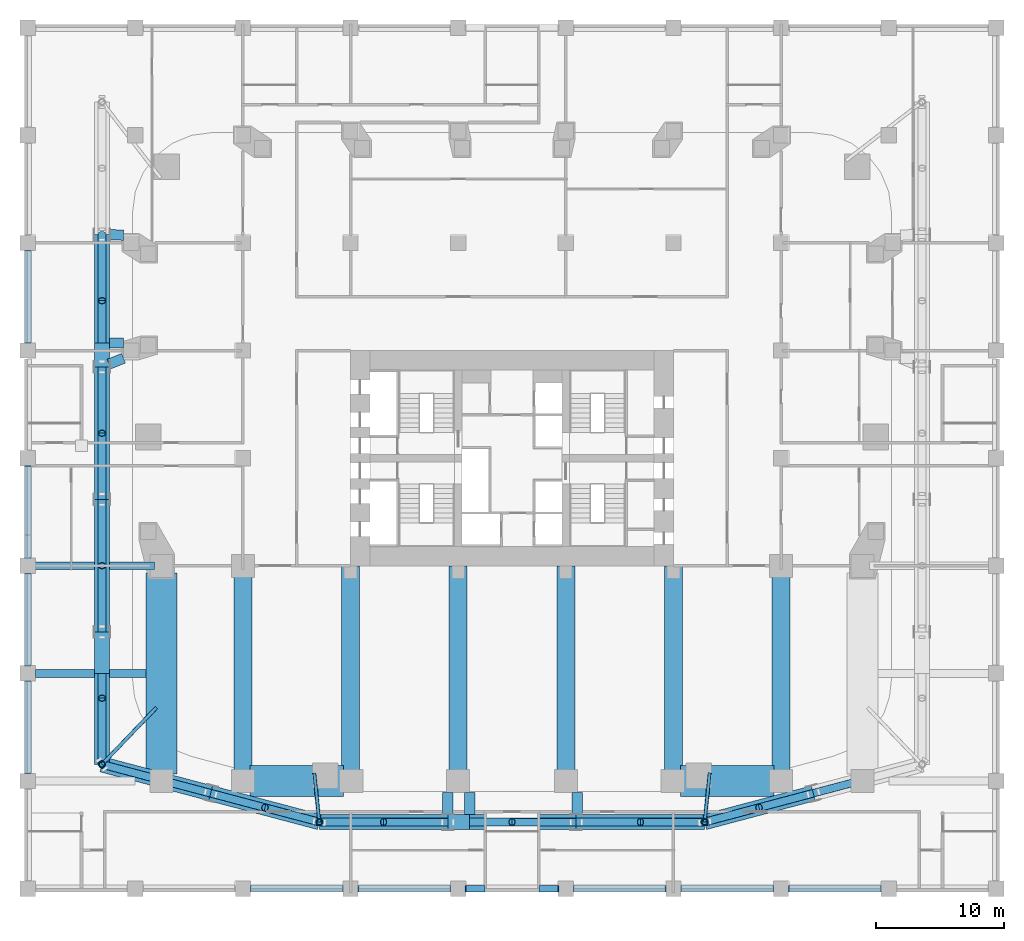
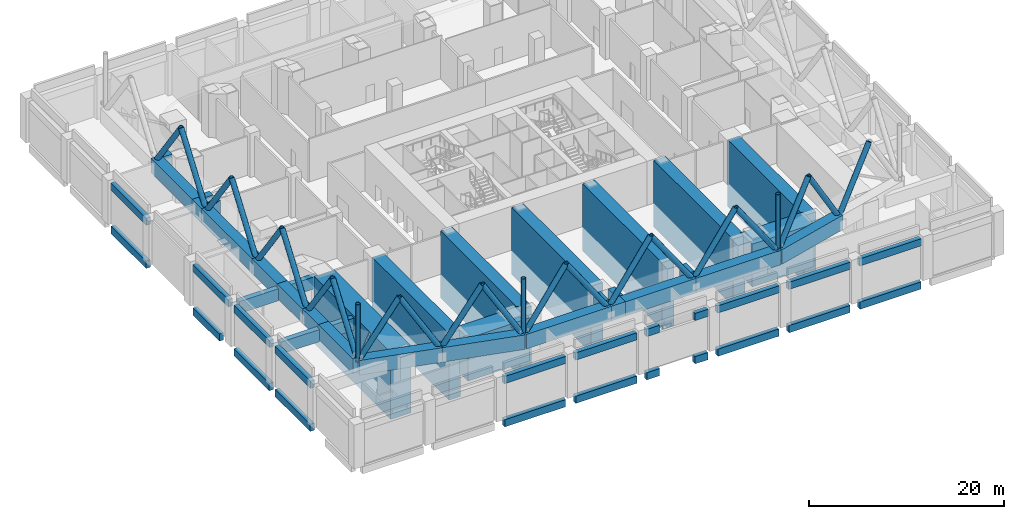
# One storey, part 2 of 17: 55 beams, 27 members.
"""IFC4 building model written with IfcOpenShell, lengths in metres."""

from ifc_helpers import new_model, si_unit, direction, frame, frame_2d, origin, origin_2d, place, context, subcontext, project, spatial, rectangle, hollow_circle, extrude, material, material_profile, profile_set, type_object, element, save


model = new_model("IFC4")

# Units and contexts
model_context = context("Model", 3, precision=1e-05, world=origin(), true_north=direction((0.0, 1.0)))
body_context = subcontext(model_context, "Body", "Model", "MODEL_VIEW")
ifc_project = project(units=[si_unit("LENGTHUNIT", "METRE"), si_unit("AREAUNIT", "SQUARE_METRE"), si_unit("VOLUMEUNIT", "CUBIC_METRE"), si_unit("PLANEANGLEUNIT", "RADIAN"), si_unit("MASSUNIT", "GRAM", prefix="KILO")], contexts=[model_context])

# Site, building, storey
site_placement = place(None, origin())
site = spatial("IfcSite", under=ifc_project, at=site_placement, CompositionType="ELEMENT")
building_placement = place(site_placement, origin())
building = spatial("IfcBuilding", under=site, at=building_placement, Name="Marenta Gate Hotel Tower", CompositionType="ELEMENT")
storey_placement = place(building_placement, frame((0.0, 0.0, 31.0)))
storey = spatial("IfcBuildingStorey", under=building, at=storey_placement, Name="L05", CompositionType="ELEMENT", Elevation=31.0)

# Beams
ifc_material_1 = material(Name="Concrete C80", Category="concrete")
ifc_material_profile_1 = material_profile(ifc_material_1, rectangle(XDim=1.199951171875, YDim=1.800048828125, at=origin_2d()), Name="1200 x 1800")
ifc_profile_set_1 = profile_set([ifc_material_profile_1], Name="Concrete C80")
beam_type_1 = type_object("IfcBeamType", Name="Diagrid base ring girder 1200 x 1800 C80", PredefinedType="BEAM", material=ifc_profile_set_1)
beam_1_placement = place(storey_placement, frame((23.51953125, -17.75, 4.60009765625), z_axis=(-0.96655930577, -0.256443187528, 0.0), x_axis=(0.256443187528, -0.96655930577, 0.0)))
element("IfcBeam", 1, at=beam_1_placement, inside=storey, type_object=beam_type_1, Name="L05-DR-B9", PredefinedType="BEAM", context=body_context, shape_type="SweptSolid", body=[
    extrude(rectangle(XDim=1.199951171875, YDim=1.800048828125, at=origin_2d()), origin(), (0.0, 0.0, 1.0), 8.77392578125),
])
beam_2_placement = place(storey_placement, frame((15.0390625, -20.0, 4.60009765625), z_axis=(-1.0, 0.0, 0.0), x_axis=(0.0, -1.0, 0.0)))
element("IfcBeam", 2, at=beam_2_placement, inside=storey, type_object=beam_type_1, Name="L05-DR-B10", PredefinedType="BEAM", context=body_context, shape_type="SweptSolid", body=[
    extrude(rectangle(XDim=1.199951171875, YDim=1.800048828125, at=origin_2d()), origin(), (0.0, 0.0, 1.0), 10.026123046875),
])
beam_3_placement = place(storey_placement, frame((5.012939453125, -20.0, 4.60009765625), z_axis=(-1.0, 0.0, 0.0), x_axis=(0.0, -1.0, 0.0)))
element("IfcBeam", 3, at=beam_3_placement, inside=storey, type_object=beam_type_1, Name="L05-DR-B11", PredefinedType="BEAM", context=body_context, shape_type="SweptSolid", body=[
    extrude(rectangle(XDim=1.199951171875, YDim=1.800048828125, at=origin_2d()), origin(), (0.0, 0.0, 1.0), 8.31298828125),
])
beam_4_placement = place(storey_placement, frame((-3.300048828125, -20.0, 4.60009765625), z_axis=(-1.0, 0.0, 0.0), x_axis=(0.0, -1.0, 0.0)))
element("IfcBeam", 4, at=beam_4_placement, inside=storey, type_object=beam_type_1, Name="L05-DR-B12", PredefinedType="BEAM", context=body_context, shape_type="SweptSolid", body=[
    extrude(rectangle(XDim=1.199951171875, YDim=1.800048828125, at=origin_2d()), origin(), (0.0, 0.0, 1.0), 1.712890625),
])
beam_5_placement = place(storey_placement, frame((-5.012939453125, -20.0, 4.60009765625), z_axis=(-1.0, 0.0, 0.0), x_axis=(0.0, -1.0, 0.0)))
element("IfcBeam", 5, at=beam_5_placement, inside=storey, type_object=beam_type_1, Name="L05-DR-B13", PredefinedType="BEAM", context=body_context, shape_type="SweptSolid", body=[
    extrude(rectangle(XDim=1.199951171875, YDim=1.800048828125, at=origin_2d()), origin(), (0.0, 0.0, 1.0), 10.026123046875),
])
for number, where, z_axis, x_axis, name in (
    (6, (-15.0390625, -20.0, 4.60009765625), (-0.96655930577, 0.256443187528, 0.0), (-0.256443187528, -0.96655930577, 0.0), "L05-DR-B14"),
    (7, (-23.51953125, -17.75, 4.60009765625), (-0.966566202599, 0.256417191299, 0.0), (-0.256417191299, -0.966566202599, 0.0), "L05-DR-B15"),
):
    element("IfcBeam", number, at=place(storey_placement, frame(where, z_axis=z_axis, x_axis=x_axis)), inside=storey, type_object=beam_type_1, Name=name, PredefinedType="BEAM", context=body_context, shape_type="SweptSolid", body=[
        extrude(rectangle(XDim=1.199951171875, YDim=1.800048828125, at=origin_2d()), origin(), (0.0, 0.0, 1.0), 8.77392578125),
    ])
beam_6_placement = place(storey_placement, frame((-32.0, -15.500244140625, 4.60009765625), z_axis=(0.0, 1.0, 0.0), x_axis=(-1.0, 0.0, 0.0)))
element("IfcBeam", 8, at=beam_6_placement, inside=storey, type_object=beam_type_1, Name="L05-DR-B16", PredefinedType="BEAM", context=body_context, shape_type="SweptSolid", body=[
    extrude(rectangle(XDim=1.199951171875, YDim=1.800048828125, at=origin_2d()), origin(), (0.0, 0.0, 1.0), 7.100341796875),
])
beam_7_placement = place(storey_placement, frame((-32.0, -8.39990234375, 4.60009765625), z_axis=(0.0, 1.0, 0.0), x_axis=(-1.0, 0.0, 0.0)))
element("IfcBeam", 9, at=beam_7_placement, inside=storey, type_object=beam_type_1, Name="L05-DR-B17", PredefinedType="BEAM", context=body_context, shape_type="SweptSolid", body=[
    extrude(rectangle(XDim=1.199951171875, YDim=1.800048828125, at=origin_2d()), origin(), (0.0, 0.0, 1.0), 3.23974609375),
])
beam_8_placement = place(storey_placement, frame((-32.0, -5.16015625, 4.60009765625), z_axis=(0.0, 1.0, 0.0), x_axis=(-1.0, 0.0, 0.0)))
element("IfcBeam", 10, at=beam_8_placement, inside=storey, type_object=beam_type_1, Name="L05-DR-B18", PredefinedType="BEAM", context=body_context, shape_type="SweptSolid", body=[
    extrude(rectangle(XDim=1.199951171875, YDim=1.800048828125, at=origin_2d()), origin(), (0.0, 0.0, 1.0), 5.16015625),
])
beam_9_placement = place(storey_placement, frame((-32.0, 0.0, 4.60009765625), z_axis=(0.0, 1.0, 0.0), x_axis=(-1.0, 0.0, 0.0)))
element("IfcBeam", 11, at=beam_9_placement, inside=storey, type_object=beam_type_1, Name="L05-DR-B19", PredefinedType="BEAM", context=body_context, shape_type="SweptSolid", body=[
    extrude(rectangle(XDim=1.199951171875, YDim=1.800048828125, at=origin_2d()), origin(), (0.0, 0.0, 1.0), 5.179931640625),
])
beam_10_placement = place(storey_placement, frame((-32.0, 5.179931640625, 4.60009765625), z_axis=(0.0, 1.0, 0.0), x_axis=(-1.0, 0.0, 0.0)))
element("IfcBeam", 12, at=beam_10_placement, inside=storey, type_object=beam_type_1, Name="L05-DR-B20", PredefinedType="BEAM", context=body_context, shape_type="SweptSolid", body=[
    extrude(rectangle(XDim=1.199951171875, YDim=1.800048828125, at=origin_2d()), origin(), (0.0, 0.0, 1.0), 10.340087890625),
])
beam_11_placement = place(storey_placement, frame((-32.0, 15.52001953125, 4.60009765625), z_axis=(0.0, 1.0, 0.0), x_axis=(-1.0, 0.0, 0.0)))
element("IfcBeam", 13, at=beam_11_placement, inside=storey, type_object=beam_type_1, Name="L05-DR-B21", PredefinedType="BEAM", context=body_context, shape_type="SweptSolid", body=[
    extrude(rectangle(XDim=1.199951171875, YDim=1.800048828125, at=origin_2d()), origin(), (0.0, 0.0, 1.0), 1.8798828125),
])
beam_12_placement = place(storey_placement, frame((-32.0, 17.39990234375, 4.60009765625), z_axis=(0.0, 1.0, 0.0), x_axis=(-1.0, 0.0, 0.0)))
element("IfcBeam", 14, at=beam_12_placement, inside=storey, type_object=beam_type_1, Name="L05-DR-B22", PredefinedType="BEAM", context=body_context, shape_type="SweptSolid", body=[
    extrude(rectangle(XDim=1.199951171875, YDim=1.800048828125, at=origin_2d()), origin(), (0.0, 0.0, 1.0), 8.460205078125),
])
ifc_material_2 = material(Name="Concrete C80", Category="concrete")
ifc_material_profile_2 = material_profile(ifc_material_2, rectangle(XDim=0.800048828125, YDim=1.800048828125, at=origin_2d()), Name="800 x 1800")
ifc_profile_set_2 = profile_set([ifc_material_profile_2], Name="Concrete C80")
beam_type_2 = type_object("IfcBeamType", Name="Diagrid base stub 800 x 1800 C80", PredefinedType="BEAM", material=ifc_profile_set_2)
for number, where, z_axis, x_axis, name in (
    (15, (5.10009765625, -17.699951171875, 4.60009765625), (0.0, -1.0, 0.0), (1.0, 0.0, 0.0), "L05-DR-S4"),
    (16, (-3.300048828125, -17.699951171875, 4.60009765625), (0.0, -1.0, 0.0), (1.0, 0.0, 0.0), "L05-DR-S5"),
    (17, (-5.012939453125, -17.699951171875, 4.60009765625), (0.0, -1.0, 0.0), (1.0, 0.0, 0.0), "L05-DR-S6"),
):
    element("IfcBeam", number, at=place(storey_placement, frame(where, z_axis=z_axis, x_axis=x_axis)), inside=storey, type_object=beam_type_2, Name=name, PredefinedType="BEAM", context=body_context, shape_type="SweptSolid", body=[
        extrude(rectangle(XDim=0.800048828125, YDim=1.800048828125, at=origin_2d()), origin(), (0.0, 0.0, 1.0), 1.699951171875),
    ])
beam_13_placement = place(storey_placement, frame((-30.320068359375, 16.199951171875, 4.60009765625), z_axis=(-0.928435025967, -0.371494821711, 0.0), x_axis=(0.371494821711, -0.928435025967, 0.0)))
element("IfcBeam", 18, at=beam_13_placement, inside=storey, type_object=beam_type_2, Name="L05-DR-S7", PredefinedType="BEAM", context=body_context, shape_type="SweptSolid", body=[
    extrude(rectangle(XDim=0.800048828125, YDim=1.800048828125, at=origin_2d()), origin(), (0.0, 0.0, 1.0), 1.21240234375),
])
beam_14_placement = place(storey_placement, frame((-30.320068359375, 17.39990234375, 4.60009765625), z_axis=(-1.0, 0.0, 0.0), x_axis=(0.0, -1.0, 0.0)))
element("IfcBeam", 19, at=beam_14_placement, inside=storey, type_object=beam_type_2, Name="L05-DR-S8", PredefinedType="BEAM", context=body_context, shape_type="SweptSolid", body=[
    extrude(rectangle(XDim=0.800048828125, YDim=1.800048828125, at=origin_2d()), origin(), (0.0, 0.0, 1.0), 1.079833984375),
])
beam_15_placement = place(storey_placement, frame((-30.320068359375, 25.800048828125, 4.60009765625), z_axis=(-0.998799725816, 0.048980687119, 0.0), x_axis=(-0.048980687119, -0.998799725816, 0.0)))
element("IfcBeam", 20, at=beam_15_placement, inside=storey, type_object=beam_type_2, Name="L05-DR-S9", PredefinedType="BEAM", context=body_context, shape_type="SweptSolid", body=[
    extrude(rectangle(XDim=0.800048828125, YDim=1.800048828125, at=origin_2d()), origin(), (0.0, 0.0, 1.0), 1.08154296875),
])

# Members
ifc_material_3 = material(Name="Steel S355J2W", Category="steel")
ifc_material_profile_3 = material_profile(ifc_material_3, hollow_circle(Radius=0.25390625, WallThickness=0.0400390625, at=origin_2d()), Name="CHS 508x40")
ifc_profile_set_3 = profile_set([ifc_material_profile_3], Name="Steel S355J2W")
member_type_1 = type_object("IfcMemberType", Name="Diagrid corner post Z1 CHS 508x40", PredefinedType="POST", material=ifc_profile_set_3)
for number, where, z_axis, x_axis, name in (
    (21, (15.0390625, -20.0, 5.0400390625), (0.0, 0.0, 1.0), (1.0, 0.0, 0.0), "L05-DR-3"),
    (22, (-15.0390625, -20.0, 5.0400390625), (0.0, 0.0, 1.0), (1.0, 0.0, 0.0), "L05-DR-4"),
    (23, (-32.0, -15.500244140625, 5.0400390625), (0.0, 0.0, 1.0), (1.0, 0.0, 0.0), "L05-DR-5"),
):
    element("IfcMember", number, at=place(storey_placement, frame(where, z_axis=z_axis, x_axis=x_axis)), inside=storey, type_object=member_type_1, Name=name, PredefinedType="POST", context=body_context, shape_type="SweptSolid", body=[
        extrude(hollow_circle(Radius=0.25390625, WallThickness=0.0400390625, at=origin_2d()), origin(), (0.0, 0.0, 1.0), 7.199951171875),
    ])
ifc_material_4 = material(Name="Steel S355J2W", Category="steel")
ifc_material_profile_4 = material_profile(ifc_material_4, hollow_circle(Radius=0.304931640625, WallThickness=0.0400390625, at=origin_2d()), Name="CHS 610x40")
ifc_profile_set_4 = profile_set([ifc_material_profile_4], Name="Steel S355J2W")
member_type_2 = type_object("IfcMemberType", Name="Diagrid diagonal Z1 CHS 610x40", PredefinedType="BRACE", material=ifc_profile_set_4)
for number, where, z_axis, x_axis, name in (
    (24, (23.51953125, -17.75, 5.0400390625), (0.502924018666, 0.133433548941, 0.853968921838), (-0.256443187528, 0.96655930577, 0.0), "L05-DG-12"),
    (25, (23.51953125, -17.75, 5.0400390625), (-0.502924018666, -0.133433548941, 0.853968921838), (0.256443187528, -0.96655930577, 0.0), "L05-DG-13"),
    (26, (15.0390625, -20.0, 5.0400390625), (0.502924018666, 0.133433548941, 0.853968921838), (-0.256443187528, 0.96655930577, 0.0), "L05-DG-14"),
):
    element("IfcMember", number, at=place(storey_placement, frame(where, z_axis=z_axis, x_axis=x_axis)), inside=storey, type_object=member_type_2, Name=name, PredefinedType="BRACE", context=body_context, shape_type="SweptSolid", body=[
        extrude(hollow_circle(Radius=0.304931640625, WallThickness=0.0400390625, at=origin_2d()), origin(), (0.0, 0.0, 1.0), 8.43115234375),
    ])
member_1_placement = place(storey_placement, frame((15.0390625, -20.0, 5.0400390625), z_axis=(-0.571411767966, 0.0, 0.820663506822), x_axis=(0.0, -1.0, 0.0)))
element("IfcMember", 27, at=member_1_placement, inside=storey, type_object=member_type_2, Name="L05-DG-15", PredefinedType="BRACE", context=body_context, shape_type="SweptSolid", body=[
    extrude(hollow_circle(Radius=0.304931640625, WallThickness=0.0400390625, at=origin_2d()), origin(), (0.0, 0.0, 1.0), 8.7734375),
])
for number, where, z_axis, x_axis, name in (
    (28, (5.012939453125, -20.0, 5.0400390625), (0.571393025954, 0.0, 0.820676556197), (0.0, 1.0, 0.0), "L05-DG-16"),
    (29, (5.012939453125, -20.0, 5.0400390625), (-0.571393025954, 0.0, 0.820676556197), (0.0, -1.0, 0.0), "L05-DG-17"),
    (30, (-5.012939453125, -20.0, 5.0400390625), (0.571393025954, 0.0, 0.820676556197), (0.0, 1.0, 0.0), "L05-DG-18"),
    (31, (-5.012939453125, -20.0, 5.0400390625), (-0.571393025954, 0.0, 0.820676556197), (0.0, -1.0, 0.0), "L05-DG-19"),
):
    element("IfcMember", number, at=place(storey_placement, frame(where, z_axis=z_axis, x_axis=x_axis)), inside=storey, type_object=member_type_2, Name=name, PredefinedType="BRACE", context=body_context, shape_type="SweptSolid", body=[
        extrude(hollow_circle(Radius=0.304931640625, WallThickness=0.0400390625, at=origin_2d()), origin(), (0.0, 0.0, 1.0), 8.773193359375),
    ])
member_2_placement = place(storey_placement, frame((-15.0390625, -20.0, 5.0400390625), z_axis=(0.571411767966, 0.0, 0.820663506822), x_axis=(0.0, 1.0, 0.0)))
element("IfcMember", 32, at=member_2_placement, inside=storey, type_object=member_type_2, Name="L05-DG-20", PredefinedType="BRACE", context=body_context, shape_type="SweptSolid", body=[
    extrude(hollow_circle(Radius=0.304931640625, WallThickness=0.0400390625, at=origin_2d()), origin(), (0.0, 0.0, 1.0), 8.7734375),
])
for number, where, z_axis, x_axis, name in (
    (33, (-15.0390625, -20.0, 5.0400390625), (-0.502924018666, 0.133433548941, 0.853968921838), (-0.256443187528, -0.96655930577, 0.0), "L05-DG-21"),
    (34, (-23.51953125, -17.75, 5.0400390625), (0.502924018666, -0.133433548941, 0.853968921838), (0.256443187528, 0.96655930577, 0.0), "L05-DG-22"),
    (35, (-23.51953125, -17.75, 5.0400390625), (-0.502924018666, 0.133433548941, 0.853968921838), (-0.256443187528, -0.96655930577, 0.0), "L05-DG-23"),
    (36, (-32.0, -15.500244140625, 5.0400390625), (0.502925961678, -0.133405107407, 0.853972221087), (0.256391194513, 0.966573098827, 0.0), "L05-DG-24"),
):
    element("IfcMember", number, at=place(storey_placement, frame(where, z_axis=z_axis, x_axis=x_axis)), inside=storey, type_object=member_type_2, Name=name, PredefinedType="BRACE", context=body_context, shape_type="SweptSolid", body=[
        extrude(hollow_circle(Radius=0.304931640625, WallThickness=0.0400390625, at=origin_2d()), origin(), (0.0, 0.0, 1.0), 8.43115234375),
    ])
member_3_placement = place(storey_placement, frame((-32.0, -15.500244140625, 5.0400390625), z_axis=(0.0, 0.583279014058, 0.812271870595), x_axis=(-1.0, 0.0, 0.0)))
element("IfcMember", 37, at=member_3_placement, inside=storey, type_object=member_type_2, Name="L05-DG-25", PredefinedType="BRACE", context=body_context, shape_type="SweptSolid", body=[
    extrude(hollow_circle(Radius=0.304931640625, WallThickness=0.0400390625, at=origin_2d()), origin(), (0.0, 0.0, 1.0), 8.864013671875),
])
member_4_placement = place(storey_placement, frame((-32.0, -5.16015625, 5.0400390625), z_axis=(0.0, -0.583260841117, 0.812284919975), x_axis=(1.0, 0.0, 0.0)))
element("IfcMember", 38, at=member_4_placement, inside=storey, type_object=member_type_2, Name="L05-DG-26", PredefinedType="BRACE", context=body_context, shape_type="SweptSolid", body=[
    extrude(hollow_circle(Radius=0.304931640625, WallThickness=0.0400390625, at=origin_2d()), origin(), (0.0, 0.0, 1.0), 8.86376953125),
])
member_5_placement = place(storey_placement, frame((-32.0, -5.16015625, 5.0400390625), z_axis=(0.0, 0.583279014058, 0.812271870595), x_axis=(-1.0, 0.0, 0.0)))
element("IfcMember", 39, at=member_5_placement, inside=storey, type_object=member_type_2, Name="L05-DG-27", PredefinedType="BRACE", context=body_context, shape_type="SweptSolid", body=[
    extrude(hollow_circle(Radius=0.304931640625, WallThickness=0.0400390625, at=origin_2d()), origin(), (0.0, 0.0, 1.0), 8.864013671875),
])
for number, where, z_axis, x_axis, name in (
    (40, (-32.0, 5.179931640625, 5.0400390625), (0.0, -0.583260841117, 0.812284919975), (1.0, 0.0, 0.0), "L05-DG-28"),
    (41, (-32.0, 5.179931640625, 5.0400390625), (0.0, 0.583260841117, 0.812284919975), (-1.0, 0.0, 0.0), "L05-DG-29"),
):
    element("IfcMember", number, at=place(storey_placement, frame(where, z_axis=z_axis, x_axis=x_axis)), inside=storey, type_object=member_type_2, Name=name, PredefinedType="BRACE", context=body_context, shape_type="SweptSolid", body=[
        extrude(hollow_circle(Radius=0.304931640625, WallThickness=0.0400390625, at=origin_2d()), origin(), (0.0, 0.0, 1.0), 8.86376953125),
    ])
member_6_placement = place(storey_placement, frame((-32.0, 15.52001953125, 5.0400390625), z_axis=(0.0, -0.583279014058, 0.812271870595), x_axis=(1.0, 0.0, 0.0)))
element("IfcMember", 42, at=member_6_placement, inside=storey, type_object=member_type_2, Name="L05-DG-30", PredefinedType="BRACE", context=body_context, shape_type="SweptSolid", body=[
    extrude(hollow_circle(Radius=0.304931640625, WallThickness=0.0400390625, at=origin_2d()), origin(), (0.0, 0.0, 1.0), 8.864013671875),
])
member_7_placement = place(storey_placement, frame((-32.0, 15.52001953125, 5.0400390625), z_axis=(0.0, 0.583260841117, 0.812284919975), x_axis=(-1.0, 0.0, 0.0)))
element("IfcMember", 43, at=member_7_placement, inside=storey, type_object=member_type_2, Name="L05-DG-31", PredefinedType="BRACE", context=body_context, shape_type="SweptSolid", body=[
    extrude(hollow_circle(Radius=0.304931640625, WallThickness=0.0400390625, at=origin_2d()), origin(), (0.0, 0.0, 1.0), 8.86376953125),
])
member_8_placement = place(storey_placement, frame((-32.0, 25.860107421875, 5.0400390625), z_axis=(0.0, -0.583279014058, 0.812271870595), x_axis=(1.0, 0.0, 0.0)))
element("IfcMember", 44, at=member_8_placement, inside=storey, type_object=member_type_2, Name="L05-DG-32", PredefinedType="BRACE", context=body_context, shape_type="SweptSolid", body=[
    extrude(hollow_circle(Radius=0.304931640625, WallThickness=0.0400390625, at=origin_2d()), origin(), (0.0, 0.0, 1.0), 8.864013671875),
])
ifc_material_5 = material(Name="Steel S355J2W", Category="steel")
ifc_material_profile_5 = material_profile(ifc_material_5, hollow_circle(Radius=0.136474609375, WallThickness=0.012451171875, at=origin_2d()), Name="CHS 273x12.5")
ifc_profile_set_5 = profile_set([ifc_material_profile_5], Name="Steel S355J2W")
member_type_3 = type_object("IfcMemberType", Name="Floor tie CHS 273x12.5", PredefinedType="STRUT", material=ifc_profile_set_5)
member_9_placement = place(storey_placement, frame((15.0390625, -20.0, 5.0400390625), z_axis=(0.100354093407, 0.994951785735, 0.0), x_axis=(-0.994951785735, 0.100354093407, 0.0)))
element("IfcMember", 45, at=member_9_placement, inside=storey, type_object=member_type_3, Name="L05-DR-9", PredefinedType="STRUT", context=body_context, shape_type="SweptSolid", body=[
    extrude(hollow_circle(Radius=0.136474609375, WallThickness=0.012451171875, at=origin_2d()), origin(), (0.0, 0.0, 1.0), 3.86572265625),
])
member_10_placement = place(storey_placement, frame((-15.0390625, -20.0, 5.0400390625), z_axis=(-0.100880214529, 0.99489857891, 0.0), x_axis=(-0.99489857891, -0.100880214529, 0.0)))
element("IfcMember", 46, at=member_10_placement, inside=storey, type_object=member_type_3, Name="L05-DR-10", PredefinedType="STRUT", context=body_context, shape_type="SweptSolid", body=[
    extrude(hollow_circle(Radius=0.136474609375, WallThickness=0.012451171875, at=origin_2d()), origin(), (0.0, 0.0, 1.0), 3.845458984375),
])
member_11_placement = place(storey_placement, frame((-32.0, -15.500244140625, 5.0400390625), z_axis=(0.691351135911, 0.722518931845, 0.0), x_axis=(-0.722518931845, 0.691351135911, 0.0)))
element("IfcMember", 47, at=member_11_placement, inside=storey, type_object=member_type_3, Name="L05-DR-11", PredefinedType="STRUT", context=body_context, shape_type="SweptSolid", body=[
    extrude(hollow_circle(Radius=0.136474609375, WallThickness=0.012451171875, at=origin_2d()), origin(), (0.0, 0.0, 1.0), 6.12548828125),
])

# Beams
ifc_material_6 = material(Name="Concrete C60", Category="concrete")
ifc_material_profile_6 = material_profile(ifc_material_6, rectangle(XDim=0.5, YDim=0.89990234375, at=origin_2d()), Name="500 x 900")
ifc_profile_set_6 = profile_set([ifc_material_profile_6], Name="Concrete C60")
beam_type_3 = type_object("IfcBeamType", Name="Podium edge beam 500 x 900 C60", PredefinedType="BEAM", material=ifc_profile_set_6)
for number, where, z_axis, x_axis, name in (
    (48, (-20.39990234375, -25.199951171875, -0.77001953125), (1.0, 0.0, 0.0), (0.0, 1.0, 0.0), "L05-PBM-177"),
    (49, (-12.0, -25.199951171875, -0.77001953125), (1.0, 0.0, 0.0), (0.0, 1.0, 0.0), "L05-PBM-178"),
):
    element("IfcBeam", number, at=place(storey_placement, frame(where, z_axis=z_axis, x_axis=x_axis)), inside=storey, type_object=beam_type_3, Name=name, PredefinedType="BEAM", context=body_context, shape_type="SweptSolid", body=[
        extrude(rectangle(XDim=0.5, YDim=0.89990234375, at=origin_2d()), origin(), (0.0, 0.0, 1.0), 7.199951171875),
    ])
for number, where, z_axis, x_axis, name in (
    (50, (-3.60009765625, -25.199951171875, -0.77001953125), (1.0, 0.0, 0.0), (0.0, 1.0, 0.0), "L05-PBM-179"),
    (51, (2.10009765625, -25.199951171875, -0.77001953125), (1.0, 0.0, 0.0), (0.0, 1.0, 0.0), "L05-PBM-180"),
):
    element("IfcBeam", number, at=place(storey_placement, frame(where, z_axis=z_axis, x_axis=x_axis)), inside=storey, type_object=beam_type_3, Name=name, PredefinedType="BEAM", context=body_context, shape_type="SweptSolid", body=[
        extrude(rectangle(XDim=0.5, YDim=0.89990234375, at=origin_2d()), origin(), (0.0, 0.0, 1.0), 1.5),
    ])
for number, where, z_axis, x_axis, name in (
    (52, (4.800048828125, -25.199951171875, -0.77001953125), (1.0, 0.0, 0.0), (0.0, 1.0, 0.0), "L05-PBM-181"),
    (53, (13.199951171875, -25.199951171875, -0.77001953125), (1.0, 0.0, 0.0), (0.0, 1.0, 0.0), "L05-PBM-182"),
    (54, (21.60009765625, -25.199951171875, -0.77001953125), (1.0, 0.0, 0.0), (0.0, 1.0, 0.0), "L05-PBM-183"),
):
    element("IfcBeam", number, at=place(storey_placement, frame(where, z_axis=z_axis, x_axis=x_axis)), inside=storey, type_object=beam_type_3, Name=name, PredefinedType="BEAM", context=body_context, shape_type="SweptSolid", body=[
        extrude(rectangle(XDim=0.5, YDim=0.89990234375, at=origin_2d()), origin(), (0.0, 0.0, 1.0), 7.199951171875),
    ])
beam_16_placement = place(storey_placement, frame((-37.800048828125, 24.60009765625, -0.77001953125), z_axis=(0.0, -1.0, 0.0), x_axis=(1.0, 0.0, 0.0)))
element("IfcBeam", 55, at=beam_16_placement, inside=storey, type_object=beam_type_3, Name="L05-PBM-204", PredefinedType="BEAM", context=body_context, shape_type="SweptSolid", body=[
    extrude(rectangle(XDim=0.5, YDim=0.89990234375, at=origin_2d()), origin(), (0.0, 0.0, 1.0), 7.2001953125),
])
beam_17_placement = place(storey_placement, frame((-37.800048828125, 7.800048828125, -0.77001953125), z_axis=(0.0, -1.0, 0.0), x_axis=(1.0, 0.0, 0.0)))
element("IfcBeam", 56, at=beam_17_placement, inside=storey, type_object=beam_type_3, Name="L05-PBM-205", PredefinedType="BEAM", context=body_context, shape_type="SweptSolid", body=[
    extrude(rectangle(XDim=0.5, YDim=0.89990234375, at=origin_2d()), origin(), (0.0, 0.0, 1.0), 5.400146484375),
])
for number, where, z_axis, x_axis, name in (
    (57, (-37.800048828125, -0.60009765625, -0.77001953125), (0.0, -1.0, 0.0), (1.0, 0.0, 0.0), "L05-PBM-206"),
    (58, (-37.800048828125, -9.0, -0.77001953125), (0.0, -1.0, 0.0), (1.0, 0.0, 0.0), "L05-PBM-207"),
):
    element("IfcBeam", number, at=place(storey_placement, frame(where, z_axis=z_axis, x_axis=x_axis)), inside=storey, type_object=beam_type_3, Name=name, PredefinedType="BEAM", context=body_context, shape_type="SweptSolid", body=[
        extrude(rectangle(XDim=0.5, YDim=0.89990234375, at=origin_2d()), origin(), (0.0, 0.0, 1.0), 7.199951171875),
    ])
for number, where, z_axis, x_axis, name in (
    (59, (-20.449951171875, -25.199951171875, 4.6298828125), (1.0, 0.0, 0.0), (0.0, 1.0, 0.0), "L05-PBM-211"),
    (60, (-12.050048828125, -25.199951171875, 4.6298828125), (1.0, 0.0, 0.0), (0.0, 1.0, 0.0), "L05-PBM-212"),
):
    element("IfcBeam", number, at=place(storey_placement, frame(where, z_axis=z_axis, x_axis=x_axis)), inside=storey, type_object=beam_type_3, Name=name, PredefinedType="BEAM", context=body_context, shape_type="SweptSolid", body=[
        extrude(rectangle(XDim=0.5, YDim=0.89990234375, at=origin_2d()), origin(), (0.0, 0.0, 1.0), 7.300048828125),
    ])
for number, where, z_axis, x_axis, name in (
    (61, (-3.64990234375, -25.199951171875, 4.6298828125), (1.0, 0.0, 0.0), (0.0, 1.0, 0.0), "L05-PBM-213"),
    (62, (2.10009765625, -25.199951171875, 4.6298828125), (1.0, 0.0, 0.0), (0.0, 1.0, 0.0), "L05-PBM-214"),
):
    element("IfcBeam", number, at=place(storey_placement, frame(where, z_axis=z_axis, x_axis=x_axis)), inside=storey, type_object=beam_type_3, Name=name, PredefinedType="BEAM", context=body_context, shape_type="SweptSolid", body=[
        extrude(rectangle(XDim=0.5, YDim=0.89990234375, at=origin_2d()), origin(), (0.0, 0.0, 1.0), 1.5498046875),
    ])
for number, where, z_axis, x_axis, name in (
    (63, (4.75, -25.199951171875, 4.6298828125), (1.0, 0.0, 0.0), (0.0, 1.0, 0.0), "L05-PBM-215"),
    (64, (13.14990234375, -25.199951171875, 4.6298828125), (1.0, 0.0, 0.0), (0.0, 1.0, 0.0), "L05-PBM-216"),
    (65, (21.550048828125, -25.199951171875, 4.6298828125), (1.0, 0.0, 0.0), (0.0, 1.0, 0.0), "L05-PBM-217"),
):
    element("IfcBeam", number, at=place(storey_placement, frame(where, z_axis=z_axis, x_axis=x_axis)), inside=storey, type_object=beam_type_3, Name=name, PredefinedType="BEAM", context=body_context, shape_type="SweptSolid", body=[
        extrude(rectangle(XDim=0.5, YDim=0.89990234375, at=origin_2d()), origin(), (0.0, 0.0, 1.0), 7.300048828125),
    ])
beam_18_placement = place(storey_placement, frame((-37.800048828125, 24.64990234375, 4.6298828125), z_axis=(0.0, -1.0, 0.0), x_axis=(1.0, 0.0, 0.0)))
element("IfcBeam", 66, at=beam_18_placement, inside=storey, type_object=beam_type_3, Name="L05-PBM-238", PredefinedType="BEAM", context=body_context, shape_type="SweptSolid", body=[
    extrude(rectangle(XDim=0.5, YDim=0.89990234375, at=origin_2d()), origin(), (0.0, 0.0, 1.0), 7.2998046875),
])
for number, where, z_axis, x_axis, name in (
    (67, (-37.800048828125, 7.85009765625, 4.6298828125), (0.0, -1.0, 0.0), (1.0, 0.0, 0.0), "L05-PBM-239"),
    (68, (-37.800048828125, -0.550048828125, 4.6298828125), (0.0, -1.0, 0.0), (1.0, 0.0, 0.0), "L05-PBM-240"),
    (69, (-37.800048828125, -8.949951171875, 4.6298828125), (0.0, -1.0, 0.0), (1.0, 0.0, 0.0), "L05-PBM-241"),
):
    element("IfcBeam", number, at=place(storey_placement, frame(where, z_axis=z_axis, x_axis=x_axis)), inside=storey, type_object=beam_type_3, Name=name, PredefinedType="BEAM", context=body_context, shape_type="SweptSolid", body=[
        extrude(rectangle(XDim=0.5, YDim=0.89990234375, at=origin_2d()), origin(), (0.0, 0.0, 1.0), 7.300048828125),
    ])
ifc_material_7 = material(Name="Concrete C60", Category="concrete")
ifc_material_profile_7 = material_profile(ifc_material_7, rectangle(XDim=0.60009765625, YDim=1.5, at=origin_2d()), Name="600 x 1500")
ifc_profile_set_7 = profile_set([ifc_material_profile_7], Name="Concrete C60")
beam_type_4 = type_object("IfcBeamType", Name="Podium roof beam 600 x 1500 C60", PredefinedType="BEAM", material=ifc_profile_set_7)
beam_19_placement = place(storey_placement, frame((-28.56298828125, -8.39990234375, 4.330078125), z_axis=(-1.0, 0.0, 0.0), x_axis=(0.0, -1.0, 0.0)))
element("IfcBeam", 70, at=beam_19_placement, inside=storey, type_object=beam_type_4, Name="L05-PBM-RW", PredefinedType="BEAM", context=body_context, shape_type="SweptSolid", body=[
    extrude(rectangle(XDim=0.60009765625, YDim=1.5, at=origin_2d()), origin(), (0.0, 0.0, 1.0), 2.8369140625),
])
beam_20_placement = place(storey_placement, frame((-27.9130859375, 0.0, 4.330078125), z_axis=(-1.0, 0.0, 0.0), x_axis=(0.0, -1.0, 0.0)))
element("IfcBeam", 71, at=beam_20_placement, inside=storey, type_object=beam_type_4, Name="L05-PBM-RWN", PredefinedType="BEAM", context=body_context, shape_type="SweptSolid", body=[
    extrude(rectangle(XDim=0.60009765625, YDim=1.5, at=origin_2d()), origin(), (0.0, 0.0, 1.0), 3.48681640625),
])
beam_21_placement = place(storey_placement, frame((-32.60009765625, -8.39990234375, 4.330078125), z_axis=(-1.0, 0.0, 0.0), x_axis=(0.0, -1.0, 0.0)))
element("IfcBeam", 72, at=beam_21_placement, inside=storey, type_object=beam_type_4, Name="L05-PBM-RWx", PredefinedType="BEAM", context=body_context, shape_type="SweptSolid", body=[
    extrude(rectangle(XDim=0.60009765625, YDim=1.5, at=origin_2d()), origin(), (0.0, 0.0, 1.0), 4.599853515625),
])
beam_22_placement = place(storey_placement, frame((-32.60009765625, 0.0, 4.330078125), z_axis=(-1.0, 0.0, 0.0), x_axis=(0.0, -1.0, 0.0)))
element("IfcBeam", 73, at=beam_22_placement, inside=storey, type_object=beam_type_4, Name="L05-PBM-RWNx", PredefinedType="BEAM", context=body_context, shape_type="SweptSolid", body=[
    extrude(rectangle(XDim=0.60009765625, YDim=1.5, at=origin_2d()), origin(), (0.0, 0.0, 1.0), 4.64990234375),
])
ifc_material_8 = material(Name="Concrete C80", Category="concrete")
ifc_material_profile_8 = material_profile(ifc_material_8, rectangle(XDim=2.39990234375, YDim=5.35009765625, at=origin_2d()), Name="2400 x 5350")
ifc_profile_set_8 = profile_set([ifc_material_profile_8], Name="Concrete C80")
beam_type_5 = type_object("IfcBeamType", Name="Spandrel girder 2400 x 5350 C80", PredefinedType="BEAM", material=ifc_profile_set_8)
for number, where, z_axis, x_axis, name in (
    (74, (-20.449951171875, -16.800048828125, 5.35009765625), (1.0, 0.0, 0.0), (0.0, 1.0, 0.0), "L05-SG-W"),
    (75, (13.14990234375, -16.800048828125, 5.35009765625), (1.0, 0.0, 0.0), (0.0, 1.0, 0.0), "L05-SG-E"),
):
    element("IfcBeam", number, at=place(storey_placement, frame(where, z_axis=z_axis, x_axis=x_axis)), inside=storey, type_object=beam_type_5, Name=name, PredefinedType="BEAM", context=body_context, shape_type="SweptSolid", body=[
        extrude(rectangle(XDim=2.39990234375, YDim=5.35009765625, at=frame_2d((0.0, -2.675048828125))), origin(), (0.0, 0.0, 1.0), 7.300048828125),
    ])
ifc_material_9 = material(Name="Concrete C80", Category="concrete")
ifc_material_profile_9 = material_profile(ifc_material_9, rectangle(XDim=1.39990234375, YDim=8.35009765625, at=origin_2d()), Name="1400 x 8350")
ifc_profile_set_9 = profile_set([ifc_material_profile_9], Name="Concrete C80")
beam_type_6 = type_object("IfcBeamType", Name="Transfer girder 1400 x 8350 C80", PredefinedType="BEAM", material=ifc_profile_set_9)
beam_23_placement = place(storey_placement, frame((-21.0, -16.25, 5.35009765625), z_axis=(0.0, 1.0, 0.0), x_axis=(-1.0, 0.0, 0.0)))
element("IfcBeam", 76, at=beam_23_placement, inside=storey, type_object=beam_type_6, Name="L05-TG-4", PredefinedType="BEAM", context=body_context, shape_type="SweptSolid", body=[
    extrude(rectangle(XDim=1.39990234375, YDim=8.35009765625, at=frame_2d((0.0, -4.175048828125))), origin(), (0.0, 0.0, 1.0), 15.699951171875),
])
for number, where, z_axis, x_axis, name in (
    (77, (-12.60009765625, -16.25, 5.35009765625), (0.0, 1.0, 0.0), (-1.0, 0.0, 0.0), "L05-TG-5"),
    (78, (-4.199951171875, -16.25, 5.35009765625), (0.0, 1.0, 0.0), (-1.0, 0.0, 0.0), "L05-TG-6"),
    (79, (4.199951171875, -16.25, 5.35009765625), (0.0, 1.0, 0.0), (-1.0, 0.0, 0.0), "L05-TG-7"),
    (80, (12.60009765625, -16.25, 5.35009765625), (0.0, 1.0, 0.0), (-1.0, 0.0, 0.0), "L05-TG-8"),
):
    element("IfcBeam", number, at=place(storey_placement, frame(where, z_axis=z_axis, x_axis=x_axis)), inside=storey, type_object=beam_type_6, Name=name, PredefinedType="BEAM", context=body_context, shape_type="SweptSolid", body=[
        extrude(rectangle(XDim=1.39990234375, YDim=8.35009765625, at=frame_2d((0.0, -4.175048828125))), origin(), (0.0, 0.0, 1.0), 16.25),
    ])
beam_24_placement = place(storey_placement, frame((21.0, -16.25, 5.35009765625), z_axis=(0.0, 1.0, 0.0), x_axis=(-1.0, 0.0, 0.0)))
element("IfcBeam", 81, at=beam_24_placement, inside=storey, type_object=beam_type_6, Name="L05-TG-9", PredefinedType="BEAM", context=body_context, shape_type="SweptSolid", body=[
    extrude(rectangle(XDim=1.39990234375, YDim=8.35009765625, at=frame_2d((0.0, -4.175048828125))), origin(), (0.0, 0.0, 1.0), 15.699951171875),
])
ifc_material_10 = material(Name="Concrete C80", Category="concrete")
ifc_material_profile_10 = material_profile(ifc_material_10, rectangle(XDim=2.39990234375, YDim=8.35009765625, at=origin_2d()), Name="2400 x 8350")
ifc_profile_set_10 = profile_set([ifc_material_profile_10], Name="Concrete C80")
beam_type_7 = type_object("IfcBeamType", Name="Transfer girder 2400 x 8350 C80", PredefinedType="BEAM", material=ifc_profile_set_10)
beam_25_placement = place(storey_placement, frame((-27.363037109375, -16.25, 5.35009765625), z_axis=(0.0, 1.0, 0.0), x_axis=(-1.0, 0.0, 0.0)))
element("IfcBeam", 82, at=beam_25_placement, inside=storey, type_object=beam_type_7, Name="L05-TG-W27p4", PredefinedType="BEAM", context=body_context, shape_type="SweptSolid", body=[
    extrude(rectangle(XDim=2.39990234375, YDim=8.35009765625, at=frame_2d((0.0, -4.175048828125))), origin(), (0.0, 0.0, 1.0), 15.699951171875),
])

save(model, "model.ifc")
